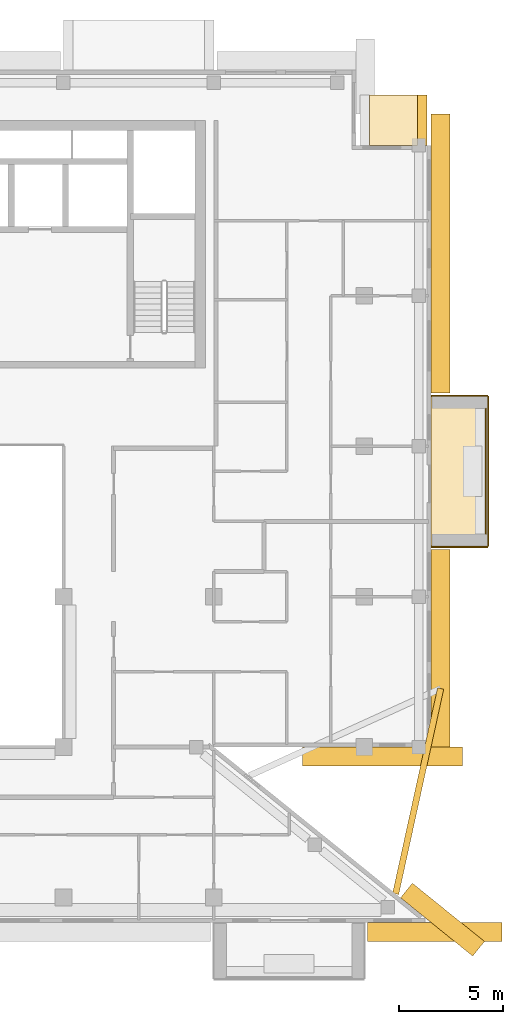
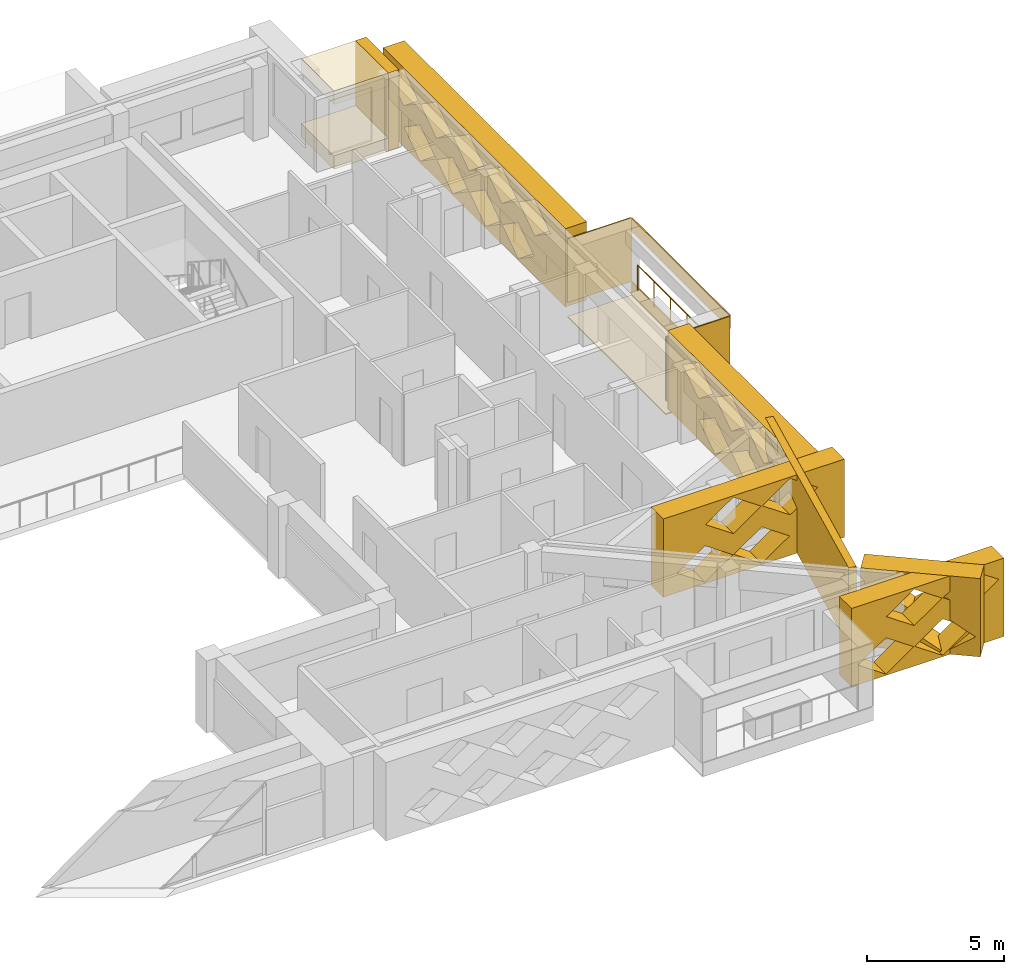
# One storey, part 19 of 19: 14 coverings, 1 railing.
"""IFC4 building model written with IfcOpenShell, lengths in metres."""

from ifc_helpers import new_model, si_unit, direction, frame, origin, origin_2d, place, context, subcontext, project, spatial, polyline, circle, outline, extrude, material, layer, layer_set, type_object, element, save


model = new_model("IFC4")

# Units and contexts
model_context = context("Model", 3, precision=1e-05, world=origin(), true_north=direction((0.0, 1.0)))
body_context = subcontext(model_context, "Body", "Model", "MODEL_VIEW")
ifc_project = project(units=[si_unit("LENGTHUNIT", "METRE"), si_unit("AREAUNIT", "SQUARE_METRE"), si_unit("VOLUMEUNIT", "CUBIC_METRE"), si_unit("PLANEANGLEUNIT", "RADIAN"), si_unit("MASSUNIT", "GRAM", prefix="KILO")], contexts=[model_context])

# Site, building, storey
site_placement = place(None, origin())
site = spatial("IfcSite", under=ifc_project, at=site_placement, CompositionType="ELEMENT")
building_placement = place(site_placement, origin())
building = spatial("IfcBuilding", under=site, at=building_placement, Name="Saffron Iwan Residences", CompositionType="ELEMENT")
storey_placement = place(building_placement, frame((0.0, 0.0, 243.0)))
storey = spatial("IfcBuildingStorey", under=building, at=storey_placement, Name="L65", CompositionType="ELEMENT", Elevation=243.0)

# Railing
ifc_material_1 = material(Name="Stainless steel 316", Category="steel")
railing_type = type_object("IfcRailingType", Name="BALCONY GUARD 1150", PredefinedType="GUARDRAIL", material=ifc_material_1)
railing_placement = place(storey_placement, frame((85.02490234375, 58.199951171875, 0.0)))
element("IfcRailing", 1, at=railing_placement, inside=storey, type_object=railing_type, Name="Balcony guard L65 F2-0", PredefinedType="GUARDRAIL", context=body_context, shape_type="SweptSolid", body=[
    extrude(circle(Radius=0.02392578125, at=origin_2d()), frame((0.0, 0.0, 1.1259765625), z_axis=(0.0, 1.0, 0.0), x_axis=(-1.0, 0.0, 0.0)), (0.0, 0.0, 1.0), 6.0),
    extrude(circle(Radius=0.02099609375, at=origin_2d()), origin(), (0.0, 0.0, 1.0), 1.101806640625),
    extrude(circle(Radius=0.02099609375, at=origin_2d()), frame((0.0, 1.199951171875, 0.0)), (0.0, 0.0, 1.0), 1.101806640625),
    extrude(circle(Radius=0.02099609375, at=origin_2d()), frame((0.0, 2.39990234375, 0.0)), (0.0, 0.0, 1.0), 1.101806640625),
    extrude(circle(Radius=0.02099609375, at=origin_2d()), frame((0.0, 3.60009765625, 0.0)), (0.0, 0.0, 1.0), 1.101806640625),
    extrude(circle(Radius=0.02099609375, at=origin_2d()), frame((0.0, 4.800048828125, 0.0)), (0.0, 0.0, 1.0), 1.101806640625),
    extrude(circle(Radius=0.02099609375, at=origin_2d()), frame((0.0, 6.0, 0.0)), (0.0, 0.0, 1.0), 1.101806640625),
])

# Coverings
ifc_material_2 = material(Name="Precast concrete C40/50 white painted", Category="concrete")
ifc_layer_1 = layer(ifc_material_2, 0.050048828125)
ifc_layer_set_1 = layer_set([ifc_layer_1], Name="Precast concrete C40/50 white painted")
covering_type_1 = type_object("IfcCoveringType", Name="FRAME SKIN PRECAST WHITE 50", PredefinedType="CLADDING", material=ifc_layer_set_1)
for number, where, name in (
    (2, (0.0, 0.0, -0.60009765625), "Frame skin slab edge L65 F2-0"),
    (3, (0.0, 0.0, 2.25), "Frame skin fascia L65 F2-0"),
):
    element("IfcCovering", number, at=place(storey_placement, frame(where)), inside=storey, type_object=covering_type_1, Name=name, PredefinedType="CLADDING", context=body_context, shape_type="SweptSolid", body=[
        extrude(outline(polyline([(85.14990234375, 57.60009765625), (85.14990234375, 64.800048828125), (85.10009765625, 64.800048828125), (85.10009765625, 57.60009765625), (85.14990234375, 57.60009765625)])), origin(), (0.0, 0.0, 1.0), 0.60009765625),
    ])
covering_1_placement = place(storey_placement, frame((0.0, 0.0, -0.64990234375)))
element("IfcCovering", 4, at=covering_1_placement, inside=storey, type_object=covering_type_1, Name="Frame skin soffit L65 F2-0", PredefinedType="CLADDING", context=body_context, shape_type="SweptSolid", body=[
    extrude(outline(polyline([(85.10009765625, 57.60009765625), (85.10009765625, 64.800048828125), (82.39990234375, 64.800048828125), (82.39990234375, 57.60009765625), (85.10009765625, 57.60009765625)])), origin(), (0.0, 0.0, 1.0), 0.0498046875),
])
covering_2_placement = place(storey_placement, origin())
element("IfcCovering", 5, at=covering_2_placement, inside=storey, type_object=covering_type_1, Name="Frame skin fin L65 F2-0a", PredefinedType="CLADDING", context=body_context, shape_type="SweptSolid", body=[
    extrude(outline(polyline([(85.10009765625, 57.550048828125), (85.10009765625, 57.60009765625), (82.39990234375, 57.60009765625), (82.39990234375, 57.550048828125), (85.10009765625, 57.550048828125)])), origin(), (0.0, 0.0, 1.0), 2.85009765625),
])
covering_3_placement = place(storey_placement, origin())
element("IfcCovering", 6, at=covering_3_placement, inside=storey, type_object=covering_type_1, Name="Frame skin fin L65 F2-0b", PredefinedType="CLADDING", context=body_context, shape_type="SweptSolid", body=[
    extrude(outline(polyline([(85.10009765625, 64.800048828125), (85.10009765625, 64.85009765625), (82.39990234375, 64.85009765625), (82.39990234375, 64.800048828125), (85.10009765625, 64.800048828125)])), origin(), (0.0, 0.0, 1.0), 2.85009765625),
])
ifc_material_3 = material(Name="Precast concrete C40/50", Category="concrete")
covering_type_2 = type_object("IfcCoveringType", Name="OUTER SKIN LATTICE SCREEN", PredefinedType="CLADDING", material=ifc_material_3)
covering_4_placement = place(storey_placement, frame((84.387939453125, 37.994384765625, -0.280029296875), z_axis=(0.628558089533, 0.777762642509, 0.0), x_axis=(-0.777762642509, 0.628558089533, 0.0)))
element("IfcCovering", 7, at=covering_4_placement, inside=storey, type_object=covering_type_2, Name="OUTER SKIN lattice screen L65 F0.0", PredefinedType="CLADDING", context=body_context, shape_type="SweptSolid", body=[
    extrude(outline(polyline([(0.0, 0.0), (4.439697265625, 0.0), (4.439697265625, 3.5), (0.0, 3.5), (0.0, 0.0)]), holes=[polyline([(0.175537109375, 0.875), (1.35546875, 0.06005859375), (2.535400390625, 0.875), (1.35546875, 1.68994140625), (0.175537109375, 0.875)]), polyline([(1.37548828125, 2.625), (2.555419921875, 1.81005859375), (3.735595703125, 2.625), (2.555419921875, 3.43994140625), (1.37548828125, 2.625)])]), origin(), (0.0, 0.0, 1.0), 0.89990234375),
])
covering_5_placement = place(storey_placement, frame((76.235595703125, 48.0, -0.280029296875), z_axis=(0.0, -1.0, 0.0), x_axis=(1.0, 0.0, 0.0)))
element("IfcCovering", 8, at=covering_5_placement, inside=storey, type_object=covering_type_2, Name="OUTER SKIN lattice screen L65 F1.0", PredefinedType="CLADDING", context=body_context, shape_type="SweptSolid", body=[
    extrude(outline(polyline([(0.0, 0.0), (7.66455078125, 0.0), (7.66455078125, 3.5), (0.0, 3.5), (0.0, 0.0)]), holes=[polyline([(0.58447265625, 0.875), (1.764404296875, 0.06005859375), (2.944580078125, 0.875), (1.764404296875, 1.68994140625), (0.58447265625, 0.875)]), polyline([(2.984619140625, 0.875), (4.16455078125, 0.06005859375), (5.344482421875, 0.875), (4.16455078125, 1.68994140625), (2.984619140625, 0.875)]), polyline([(1.784423828125, 2.625), (2.964599609375, 1.81005859375), (4.14453125, 2.625), (2.964599609375, 3.43994140625), (1.784423828125, 2.625)]), polyline([(4.1845703125, 2.625), (5.364501953125, 1.81005859375), (6.54443359375, 2.625), (5.364501953125, 3.43994140625), (4.1845703125, 2.625)])]), origin(), (0.0, 0.0, 1.0), 0.89990234375),
])
covering_6_placement = place(storey_placement, frame((82.39990234375, 47.10009765625, -0.280029296875), z_axis=(1.0, 0.0, 0.0), x_axis=(0.0, 1.0, 0.0)))
element("IfcCovering", 9, at=covering_6_placement, inside=storey, type_object=covering_type_2, Name="OUTER SKIN lattice screen L65 F2.0", PredefinedType="CLADDING", context=body_context, shape_type="SweptSolid", body=[
    extrude(outline(polyline([(0.0, 0.0), (10.35009765625, 0.0), (10.35009765625, 3.5), (0.0, 3.5), (0.0, 0.0)]), holes=[polyline([(0.919921875, 0.875), (2.10009765625, 0.06005859375), (3.280029296875, 0.875), (2.10009765625, 1.68994140625), (0.919921875, 0.875)]), polyline([(3.320068359375, 0.875), (4.5, 0.06005859375), (5.679931640625, 0.875), (4.5, 1.68994140625), (3.320068359375, 0.875)]), polyline([(5.719970703125, 0.875), (6.89990234375, 0.06005859375), (8.080078125, 0.875), (6.89990234375, 1.68994140625), (5.719970703125, 0.875)]), polyline([(2.1201171875, 2.625), (3.300048828125, 1.81005859375), (4.47998046875, 2.625), (3.300048828125, 3.43994140625), (2.1201171875, 2.625)]), polyline([(4.52001953125, 2.625), (5.699951171875, 1.81005859375), (6.8798828125, 2.625), (5.699951171875, 3.43994140625), (4.52001953125, 2.625)]), polyline([(6.919921875, 2.625), (8.10009765625, 1.81005859375), (9.280029296875, 2.625), (8.10009765625, 3.43994140625), (6.919921875, 2.625)])]), origin(), (0.0, 0.0, 1.0), 0.900146484375),
])
covering_7_placement = place(storey_placement, frame((82.39990234375, 64.949951171875, -0.280029296875), z_axis=(1.0, 0.0, 0.0), x_axis=(0.0, 1.0, 0.0)))
element("IfcCovering", 10, at=covering_7_placement, inside=storey, type_object=covering_type_2, Name="OUTER SKIN lattice screen L65 F2.1", PredefinedType="CLADDING", context=body_context, shape_type="SweptSolid", body=[
    extrude(outline(polyline([(0.0, 0.0), (13.35009765625, 0.0), (13.35009765625, 3.5), (0.0, 3.5), (0.0, 0.0)]), holes=[polyline([(2.27001953125, 0.875), (3.449951171875, 0.06005859375), (4.6298828125, 0.875), (3.449951171875, 1.68994140625), (2.27001953125, 0.875)]), polyline([(4.669921875, 0.875), (5.85009765625, 0.06005859375), (7.030029296875, 0.875), (5.85009765625, 1.68994140625), (4.669921875, 0.875)]), polyline([(7.070068359375, 0.875), (8.25, 0.06005859375), (9.429931640625, 0.875), (8.25, 1.68994140625), (7.070068359375, 0.875)]), polyline([(9.469970703125, 0.875), (10.64990234375, 0.06005859375), (11.830078125, 0.875), (10.64990234375, 1.68994140625), (9.469970703125, 0.875)]), polyline([(1.070068359375, 2.625), (2.25, 1.81005859375), (3.429931640625, 2.625), (2.25, 3.43994140625), (1.070068359375, 2.625)]), polyline([(3.469970703125, 2.625), (4.64990234375, 1.81005859375), (5.830078125, 2.625), (4.64990234375, 3.43994140625), (3.469970703125, 2.625)]), polyline([(5.8701171875, 2.625), (7.050048828125, 1.81005859375), (8.22998046875, 2.625), (7.050048828125, 3.43994140625), (5.8701171875, 2.625)]), polyline([(8.27001953125, 2.625), (9.449951171875, 1.81005859375), (10.6298828125, 2.625), (9.449951171875, 3.43994140625), (8.27001953125, 2.625)]), polyline([(10.669921875, 2.625), (11.85009765625, 1.81005859375), (13.030029296875, 2.625), (11.85009765625, 3.43994140625), (10.669921875, 2.625)])]), origin(), (0.0, 0.0, 1.0), 0.900146484375),
])
covering_8_placement = place(storey_placement, frame((79.35009765625, 39.60009765625, -0.280029296875), z_axis=(0.0, -1.0, 0.0), x_axis=(1.0, 0.0, 0.0)))
element("IfcCovering", 11, at=covering_8_placement, inside=storey, type_object=covering_type_2, Name="OUTER SKIN lattice screen L65 F11.3", PredefinedType="CLADDING", context=body_context, shape_type="SweptSolid", body=[
    extrude(outline(polyline([(0.0, 0.0), (6.445556640625, 0.0), (6.445556640625, 3.5), (0.0, 3.5), (0.0, 0.0)]), holes=[polyline([(0.27001953125, 0.875), (1.449951171875, 0.06005859375), (2.6298828125, 0.875), (1.449951171875, 1.68994140625), (0.27001953125, 0.875)]), polyline([(2.669921875, 0.875), (3.85009765625, 0.06005859375), (5.030029296875, 0.875), (3.85009765625, 1.68994140625), (2.669921875, 0.875)]), polyline([(1.469970703125, 2.625), (2.64990234375, 1.81005859375), (3.830078125, 2.625), (2.64990234375, 3.43994140625), (1.469970703125, 2.625)]), polyline([(3.8701171875, 2.625), (5.050048828125, 1.81005859375), (6.22998046875, 2.625), (5.050048828125, 3.43994140625), (3.8701171875, 2.625)])]), origin(), (0.0, 0.0, 1.0), 0.900146484375),
])
ifc_layer_2 = layer(ifc_material_2, 0.300048828125)
ifc_layer_set_2 = layer_set([ifc_layer_2], Name="Precast concrete C40/50 white painted")
covering_type_3 = type_object("IfcCoveringType", Name="PROW NOSE BLADE PRECAST WHITE", PredefinedType="CLADDING", material=ifc_layer_set_2)
covering_9_placement = place(storey_placement, frame((0.0, 0.0, -0.280029296875)))
element("IfcCovering", 12, at=covering_9_placement, inside=storey, type_object=covering_type_3, Name="Prow nose blade L65 a", PredefinedType="CLADDING", context=body_context, shape_type="SweptSolid", body=[
    extrude(outline(polyline([(80.847412109375, 40.9404296875), (83.001708984375, 50.769287109375), (82.70849609375, 50.83349609375), (80.55419921875, 41.004638671875), (80.847412109375, 40.9404296875)])), origin(), (0.0, 0.0, 1.0), 3.5),
])
covering_type_4 = type_object("IfcCoveringType", Name="WHITE SUN FRAME PRECAST", PredefinedType="CLADDING", material=ifc_material_2)
covering_10_placement = place(storey_placement, frame((82.199951171875, 76.800048828125, -0.280029296875), z_axis=(0.0, 1.0, 0.0), x_axis=(-1.0, 0.0, 0.0)))
element("IfcCovering", 13, at=covering_10_placement, inside=storey, type_object=covering_type_4, Name="Sun frame L65 F3 0.2a", PredefinedType="CLADDING", context=body_context, shape_type="SweptSolid", body=[
    extrude(outline(polyline([(0.0, 0.0), (0.449951171875, 0.0), (0.449951171875, 3.5), (0.0, 3.5), (0.0, 0.0)])), origin(), (0.0, 0.0, 1.0), 2.39990234375),
])
for number, where, z_axis, x_axis, name in (
    (14, (81.75, 76.800048828125, 2.6201171875), (0.0, 1.0, 0.0), (-1.0, 0.0, 0.0), "Sun frame L65 F3 0.2h"),
    (15, (81.75, 76.800048828125, -0.280029296875), (0.0, 1.0, 0.0), (-1.0, 0.0, 0.0), "Sun frame L65 F3 0.2s"),
):
    element("IfcCovering", number, at=place(storey_placement, frame(where, z_axis=z_axis, x_axis=x_axis)), inside=storey, type_object=covering_type_4, Name=name, PredefinedType="CLADDING", context=body_context, shape_type="SweptSolid", body=[
        extrude(outline(polyline([(0.0, 0.0), (2.300048828125, 0.0), (2.300048828125, 0.60009765625), (0.0, 0.60009765625), (0.0, 0.0)])), origin(), (0.0, 0.0, 1.0), 2.39990234375),
    ])

save(model, "model.ifc")
